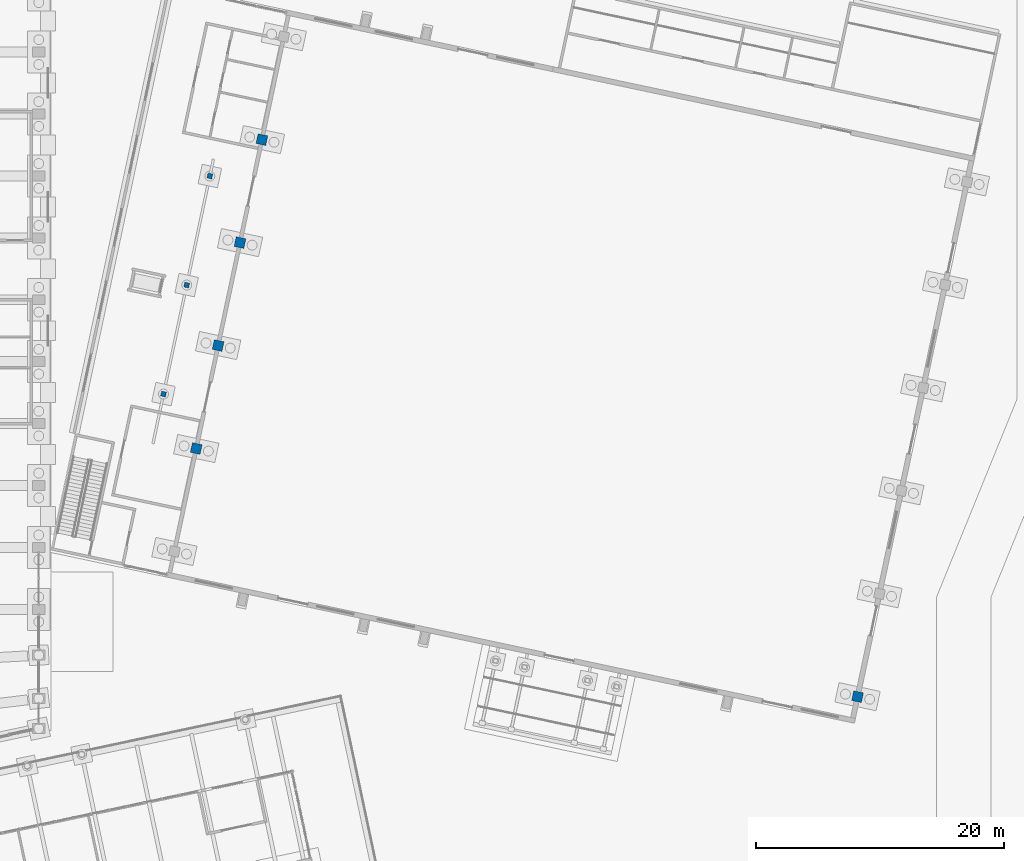
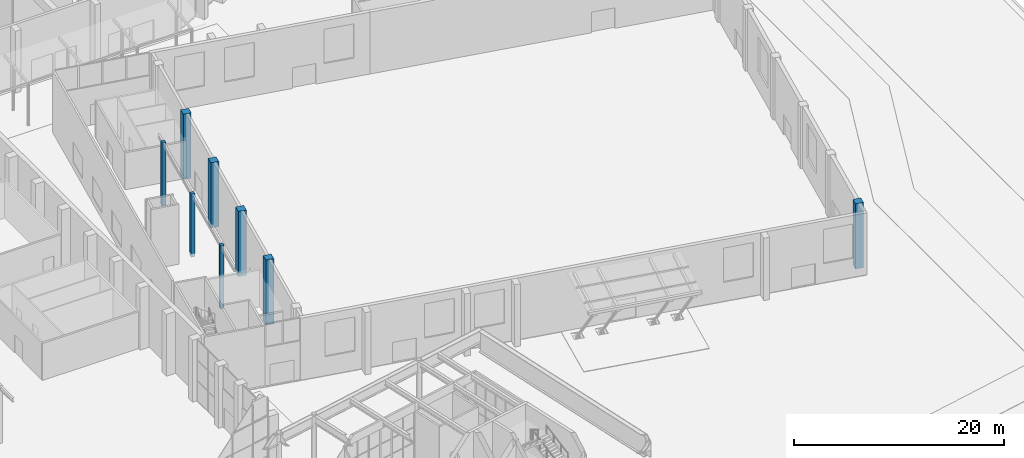
# One storey, part 27 of 239: 8 columns.
"""IFC4 building model written with IfcOpenShell, lengths in metres."""

from ifc_helpers import new_model, si_unit, direction, frame, origin, origin_2d, place, context, subcontext, project, spatial, rectangle, extrude, material, material_profile, profile_set, type_object, element, save


model = new_model("IFC4")

# Units and contexts
model_context = context("Model", 3, precision=1e-05, world=origin(), true_north=direction((0.0, 1.0)))
body_context = subcontext(model_context, "Body", "Model", "MODEL_VIEW")
ifc_project = project(units=[si_unit("LENGTHUNIT", "METRE"), si_unit("AREAUNIT", "SQUARE_METRE"), si_unit("VOLUMEUNIT", "CUBIC_METRE"), si_unit("PLANEANGLEUNIT", "RADIAN"), si_unit("MASSUNIT", "GRAM", prefix="KILO")], contexts=[model_context])

# Site, building, storey
site_placement = place(None, origin())
site = spatial("IfcSite", under=ifc_project, at=site_placement, CompositionType="ELEMENT")
building_placement = place(site_placement, origin())
building = spatial("IfcBuilding", under=site, at=building_placement, Name="Okhra Congress Centre", CompositionType="ELEMENT")
storey_placement = place(building_placement, origin())
storey = spatial("IfcBuildingStorey", under=building, at=storey_placement, Name="L00", CompositionType="ELEMENT", Elevation=0.0)

# Columns
ifc_material = material(Name="Concrete C40/50", Category="concrete")
ifc_material_profile_1 = material_profile(ifc_material, rectangle(XDim=0.39990234375, YDim=0.39990234375, at=origin_2d()), Name="RC 400x400")
ifc_profile_set_1 = profile_set([ifc_material_profile_1], Name="Concrete C40/50")
column_type_1 = type_object("IfcColumnType", Name="RC column 400x400 C40/50", PredefinedType="COLUMN", material=ifc_profile_set_1)
for number, where, z_axis, x_axis, name in (
    (1, (199.072998046875, 108.38427734375, -0.39990234375), (0.0, 0.0, 1.0), (0.978147600734, -0.207911690818, 0.0), "Gallery column 1"),
    (2, (200.9443359375, 117.1875, -0.39990234375), (0.0, 0.0, 1.0), (0.978147600734, -0.207911690818, 0.0), "Gallery column 2"),
    (3, (202.8154296875, 125.990966796875, -0.39990234375), (0.0, 0.0, 1.0), (0.978147600734, -0.207911690818, 0.0), "Gallery column 3"),
):
    element("IfcColumn", number, at=place(storey_placement, frame(where, z_axis=z_axis, x_axis=x_axis)), inside=storey, type_object=column_type_1, Name=name, PredefinedType="COLUMN", context=body_context, shape_type="SweptSolid", body=[
        extrude(rectangle(XDim=0.39990234375, YDim=0.39990234375, at=origin_2d()), origin(), (0.0, 0.0, 1.0), 7.349853515625),
    ])
ifc_material_profile_2 = material_profile(ifc_material, rectangle(XDim=0.800048828125, YDim=0.800048828125, at=origin_2d()), Name="RC 800x800")
ifc_profile_set_2 = profile_set([ifc_material_profile_2], Name="Concrete C40/50")
column_type_2 = type_object("IfcColumnType", Name="RC column 800x800 C40/50", PredefinedType="COLUMN", material=ifc_profile_set_2)
for number, where, z_axis, x_axis, name in (
    (4, (255.1171875, 83.947998046875, -0.39990234375), (0.0, 0.0, 1.0), (0.978147600734, -0.207911690818, 0.0), "Hall column E0"),
    (5, (201.717041015625, 103.988525390625, -0.39990234375), (0.0, 0.0, 1.0), (0.978147600734, -0.207911690818, 0.0), "Hall column W1"),
    (6, (203.484130859375, 112.302734375, -0.39990234375), (0.0, 0.0, 1.0), (0.978147600734, -0.207911690818, 0.0), "Hall column W2"),
    (7, (205.25146484375, 120.616943359375, -0.39990234375), (0.0, 0.0, 1.0), (0.978147600734, -0.207911690818, 0.0), "Hall column W3"),
    (8, (207.018798828125, 128.93115234375, -0.39990234375), (0.0, 0.0, 1.0), (0.978147600734, -0.207911690818, 0.0), "Hall column W4"),
):
    element("IfcColumn", number, at=place(storey_placement, frame(where, z_axis=z_axis, x_axis=x_axis)), inside=storey, type_object=column_type_2, Name=name, PredefinedType="COLUMN", context=body_context, shape_type="SweptSolid", body=[
        extrude(rectangle(XDim=0.800048828125, YDim=0.800048828125, at=origin_2d()), origin(), (0.0, 0.0, 1.0), 7.599853515625),
    ])

save(model, "model.ifc")
